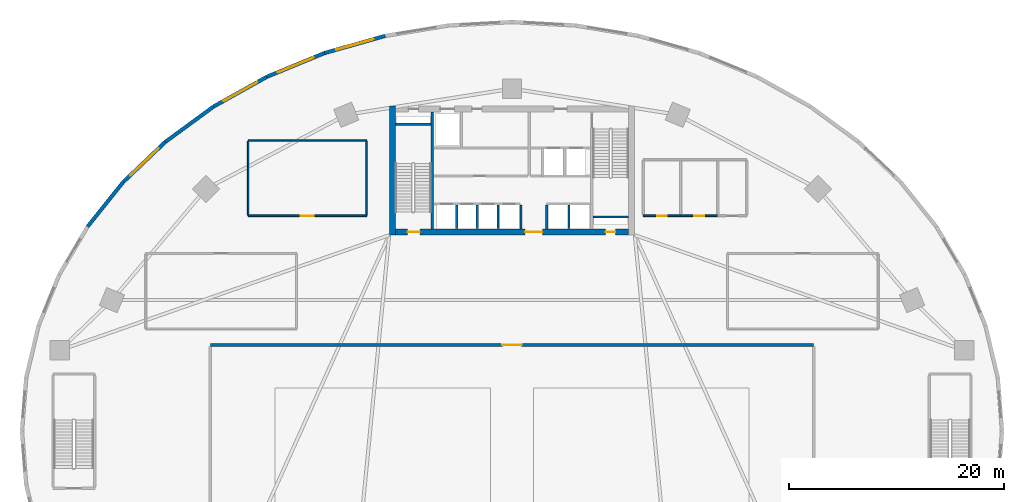
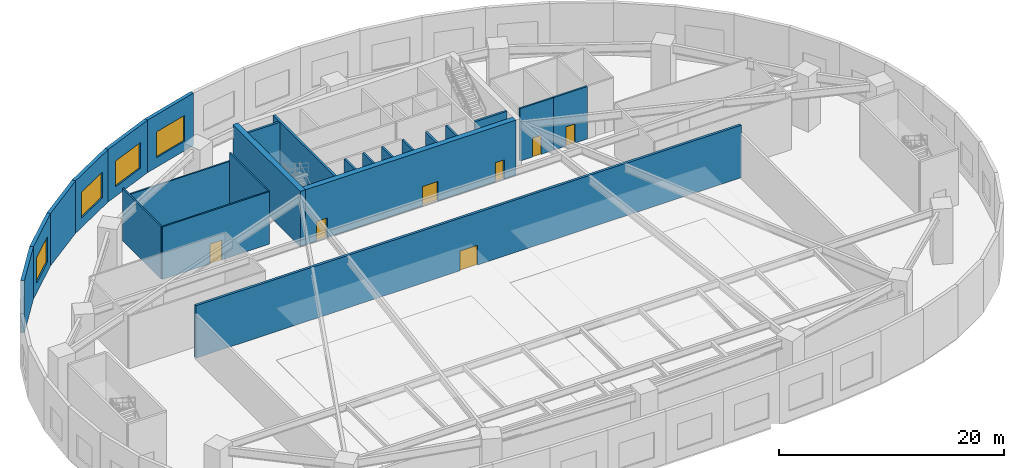
# One storey, part 3 of 10: 24 walls, 7 doors, 4 windows, 11 openings.
"""IFC4 building model written with IfcOpenShell, lengths in metres."""

from ifc_helpers import new_model, si_unit, direction, frame, frame_2d, origin, place, context, subcontext, project, spatial, rectangle, extrude, source, transform, mapped, material, layer, layer_set, type_object, type_shapes, element, fill, save


model = new_model("IFC4")

# Units and contexts
model_context = context("Model", 3, precision=1e-05, world=origin(), true_north=direction((0.0, 1.0)))
body_context = subcontext(model_context, "Body", "Model", "MODEL_VIEW")
ifc_project = project(units=[si_unit("LENGTHUNIT", "METRE"), si_unit("AREAUNIT", "SQUARE_METRE"), si_unit("VOLUMEUNIT", "CUBIC_METRE"), si_unit("PLANEANGLEUNIT", "RADIAN"), si_unit("MASSUNIT", "GRAM", prefix="KILO")], contexts=[model_context])

# Site, building, storey
site_placement = place(None, origin())
site = spatial("IfcSite", under=ifc_project, at=site_placement, CompositionType="ELEMENT")
building_placement = place(site_placement, origin())
building = spatial("IfcBuilding", under=site, at=building_placement, Name="Breltana Convention Tower", CompositionType="ELEMENT")
storey_placement = place(building_placement, frame((0.0, 0.0, 6.0)))
storey = spatial("IfcBuildingStorey", under=building, at=storey_placement, Name="L01", CompositionType="ELEMENT", Elevation=6.0)

# Wall
ifc_material_1 = material(Name="Concrete C60/75", Category="concrete")
ifc_layer_1 = layer(ifc_material_1, 0.550048828125, Name="Concrete C60/75")
ifc_layer_set_1 = layer_set([ifc_layer_1], Name="Concrete C60/75")
wall_type_1 = type_object("IfcWallType", Name="SW-CORE-550", PredefinedType="SHEAR", material=ifc_layer_set_1)
shared_shape_1 = source(origin(), body_context, "Body", "SweptSolid", [
    extrude(rectangle(XDim=12.0, YDim=0.550048828125, at=frame_2d((6.0, 0.0))), origin(), (0.0, 0.0, 1.0), 6.0),
])
wall_1_placement = place(storey_placement, frame((36.925048828125, 60.199951171875, 0.0), z_axis=(0.0, 0.0, 1.0), x_axis=(0.0, 1.0, 0.0)))
element("IfcWall", 1, at=wall_1_placement, inside=storey, type_object=wall_type_1, Name="L01 West Core Shear Wall", PredefinedType="SHEAR", context=body_context, shape_type="MappedRepresentation", body=[
    mapped(shared_shape_1, transform((0.0, 0.0, 0.0), scale=1.0)),
])

# Wall, openings, doors
shared_shape_2 = source(origin(), body_context, "Body", "SweptSolid", [
    extrude(rectangle(XDim=21.60009765625, YDim=0.550048828125, at=frame_2d((10.800048828125, 0.0))), origin(), (0.0, 0.0, 1.0), 6.0),
])
wall_2_placement = place(storey_placement, frame((37.199951171875, 60.47509765625, 0.0), z_axis=(0.0, 0.0, 1.0), x_axis=(1.0, 0.0, 0.0)))
wall_2 = element("IfcWall", 2, at=wall_2_placement, inside=storey, type_object=wall_type_1, Name="L01 South Core Shear Wall", PredefinedType="SHEAR", context=body_context, shape_type="MappedRepresentation", body=[
    mapped(shared_shape_2, transform((0.0, 0.0, 0.0), scale=1.0)),
])
opening_1_placement = place(wall_2_placement, frame((1.10009765625, 0.0, 0.0)))
opening_1 = element("IfcOpeningElement", 3, at=opening_1_placement, cuts=wall_2, Name="Opening D-11", PredefinedType="OPENING", context=body_context, shape_type="SweptSolid", body=[
    extrude(rectangle(XDim=1.14990234375, YDim=2.14990234375, at=frame_2d((0.574951171875, 1.074951171875))), frame((0.0, 0.28515625, 0.0), z_axis=(0.0, -1.0, 0.0), x_axis=(1.0, 0.0, 0.0)), (0.0, 0.0, 1.0), 0.570068359375),
])
opening_2_placement = place(wall_2_placement, frame((19.5, 0.0, 0.0)))
opening_2 = element("IfcOpeningElement", 4, at=opening_2_placement, cuts=wall_2, Name="Opening D-18", PredefinedType="OPENING", context=body_context, shape_type="SweptSolid", body=[
    extrude(rectangle(XDim=0.89990234375, YDim=2.10009765625, at=frame_2d((0.449951171875, 1.050048828125))), frame((0.0, 0.28515625, 0.0), z_axis=(0.0, -1.0, 0.0), x_axis=(1.0, 0.0, 0.0)), (0.0, 0.0, 1.0), 0.570068359375),
])
opening_3_placement = place(wall_2_placement, frame((12.02001953125, 0.0, 0.0)))
opening_3 = element("IfcOpeningElement", 5, at=opening_3_placement, cuts=wall_2, Name="Opening D-02", PredefinedType="OPENING", context=body_context, shape_type="SweptSolid", body=[
    extrude(rectangle(XDim=1.60009765625, YDim=2.14990234375, at=frame_2d((0.800048828125, 1.074951171875))), frame((0.0, 0.28515625, 0.0), z_axis=(0.0, -1.0, 0.0), x_axis=(1.0, 0.0, 0.0)), (0.0, 0.0, 1.0), 0.570068359375),
])
ifc_material_2 = material(Name="Steel Stair Exit Door", Category="steel")
door_type_1 = type_object("IfcDoorType", Name="DR-FD120-1150", OperationType="NOTDEFINED", PredefinedType="DOOR", material=ifc_material_2)
shared_shape_3 = source(origin(), body_context, "Body", "SweptSolid", [
    extrude(rectangle(XDim=1.14990234375, YDim=2.14990234375, at=frame_2d((0.574951171875, 1.074951171875))), frame((0.0, 0.02490234375, 0.0), z_axis=(0.0, -1.0, 0.0), x_axis=(1.0, 0.0, 0.0)), (0.0, 0.0, 1.0), 0.050048828125),
])
type_shapes(door_type_1, [shared_shape_3])
door_1_placement = place(opening_1_placement, origin())
door_1 = element("IfcDoor", 6, at=door_1_placement, inside=storey, type_object=door_type_1, Name="L01 interior door D-L01-ST1", OperationType="SINGLE_SWING_LEFT", OverallHeight=2.14990234375, OverallWidth=1.14990234375, PredefinedType="DOOR", context=body_context, shape_type="MappedRepresentation", body=[
    mapped(shared_shape_3, transform((0.0, 0.0, 0.0), scale=1.0)),
])
fill(opening_1, door_1)
ifc_material_3 = material(Name="Steel Riser Fire Door", Category="steel")
door_type_2 = type_object("IfcDoorType", Name="DR-FD60-900", OperationType="NOTDEFINED", PredefinedType="DOOR", material=ifc_material_3)
shared_shape_4 = source(origin(), body_context, "Body", "SweptSolid", [
    extrude(rectangle(XDim=0.89990234375, YDim=2.10009765625, at=frame_2d((0.449951171875, 1.050048828125))), frame((0.0, 0.02490234375, 0.0), z_axis=(0.0, -1.0, 0.0), x_axis=(1.0, 0.0, 0.0)), (0.0, 0.0, 1.0), 0.050048828125),
])
type_shapes(door_type_2, [shared_shape_4])
door_2_placement = place(opening_2_placement, origin())
door_2 = element("IfcDoor", 7, at=door_2_placement, inside=storey, type_object=door_type_2, Name="L01 Core Riser Access Door D-L01-RS2", OperationType="SINGLE_SWING_RIGHT", OverallHeight=2.10009765625, OverallWidth=0.89990234375, PredefinedType="DOOR", context=body_context, shape_type="MappedRepresentation", body=[
    mapped(shared_shape_4, transform((0.0, 0.0, 0.0), scale=1.0)),
])
fill(opening_2, door_2)
ifc_material_4 = material(Name="Steel Glazed Smoke-Control Door", Category="steel")
door_type_3 = type_object("IfcDoorType", Name="DR-DBL-FD90-1600", OperationType="DOUBLE_DOOR_SINGLE_SWING", PredefinedType="DOOR", material=ifc_material_4)
shared_shape_5 = source(origin(), body_context, "Body", "SweptSolid", [
    extrude(rectangle(XDim=1.60009765625, YDim=2.14990234375, at=frame_2d((0.800048828125, 1.074951171875))), frame((0.0, 0.02490234375, 0.0), z_axis=(0.0, -1.0, 0.0), x_axis=(1.0, 0.0, 0.0)), (0.0, 0.0, 1.0), 0.050048828125),
])
type_shapes(door_type_3, [shared_shape_5])
door_3_placement = place(opening_3_placement, origin())
door_3 = element("IfcDoor", 8, at=door_3_placement, inside=storey, type_object=door_type_3, Name="L01 interior door D-L01-LLB-S", OperationType="DOUBLE_DOOR_SINGLE_SWING", OverallHeight=2.14990234375, OverallWidth=1.60009765625, PredefinedType="DOOR", context=body_context, shape_type="MappedRepresentation", body=[
    mapped(shared_shape_5, transform((0.0, 0.0, 0.0), scale=1.0)),
])
fill(opening_3, door_3)

# Walls
ifc_material_5 = material(Name="Concrete C50/60", Category="concrete")
ifc_layer_2 = layer(ifc_material_5, 0.39990234375, Name="Concrete C50/60")
ifc_layer_set_2 = layer_set([ifc_layer_2], Name="Concrete C50/60")
wall_type_2 = type_object("IfcWallType", Name="SW-CORE-400", PredefinedType="SHEAR", material=ifc_layer_set_2)
shared_shape_6 = source(origin(), body_context, "Body", "SweptSolid", [
    extrude(rectangle(XDim=3.27001953125, YDim=0.219970703125, at=frame_2d((1.635009765625, 0.0))), origin(), (0.0, 0.0, 1.0), 6.0),
])
for number, where, z_axis, x_axis, name in (
    (9, (37.199951171875, 70.510009765625, 0.0), (0.0, 0.0, 1.0), (1.0, 0.0, 0.0), "L01 ST-1 Stairwell North Bearing Wall"),
    (10, (55.530029296875, 61.889892578125, 0.0), (0.0, 0.0, 1.0), (1.0, 0.0, 0.0), "L01 ST-2 Stairwell South Bearing Wall"),
):
    element("IfcWall", number, at=place(storey_placement, frame(where, z_axis=z_axis, x_axis=x_axis)), inside=storey, type_object=wall_type_2, Name=name, PredefinedType="SHEAR", context=body_context, shape_type="MappedRepresentation", body=[
        mapped(shared_shape_6, transform((0.0, 0.0, 0.0), scale=1.0)),
    ])
shared_shape_7 = source(origin(), body_context, "Body", "SweptSolid", [
    extrude(rectangle(XDim=10.89990234375, YDim=0.219970703125, at=frame_2d((5.449951171875, 0.0))), origin(), (0.0, 0.0, 1.0), 6.0),
])
wall_3_placement = place(storey_placement, frame((40.580078125, 60.75, 0.0), z_axis=(0.0, 0.0, 1.0), x_axis=(0.0, 1.0, 0.0)))
element("IfcWall", 11, at=wall_3_placement, inside=storey, type_object=wall_type_2, Name="L01 Core West Stair Spine Wall", PredefinedType="SHEAR", context=body_context, shape_type="MappedRepresentation", body=[
    mapped(shared_shape_7, transform((0.0, 0.0, 0.0), scale=1.0)),
])
ifc_material_6 = material(Name="Limestone Buff Insulated Wall", Category="masonry")
ifc_layer_3 = layer(ifc_material_6, 0.35009765625, Name="Limestone Buff Insulated Wall")
ifc_layer_set_3 = layer_set([ifc_layer_3], Name="Limestone Buff Insulated Wall")
wall_type_3 = type_object("IfcWallType", Name="WL-EXT-POD-350", PredefinedType="SOLIDWALL", material=ifc_layer_set_3)
shared_shape_8 = source(origin(), body_context, "Body", "SweptSolid", [
    extrude(rectangle(XDim=5.292724609375, YDim=0.35009765625, at=frame_2d((2.646484375, 0.0))), origin(), (0.0, 0.0, 1.0), 5.699951171875),
])
wall_4_placement = place(storey_placement, frame((11.90234375, 65.1328125, 0.0), z_axis=(0.0, 0.0, 1.0), x_axis=(-0.624740048177, -0.780832806818, 0.0)))
element("IfcWall", 12, at=wall_4_placement, inside=storey, type_object=wall_type_3, Name="L01 limestone facade wall 20", PredefinedType="SOLIDWALL", context=body_context, shape_type="MappedRepresentation", body=[
    mapped(shared_shape_8, transform((0.0, 0.0, 0.0), scale=1.0)),
])

# Wall, opening, window
shared_shape_9 = source(origin(), body_context, "Body", "SweptSolid", [
    extrude(rectangle(XDim=5.419189453125, YDim=0.35009765625, at=frame_2d((2.70947265625, 0.0))), origin(), (0.0, 0.0, 1.0), 5.699951171875),
])
wall_5_placement = place(storey_placement, frame((15.82666015625, 68.8701171875, 0.0), z_axis=(0.0, 0.0, 1.0), x_axis=(-0.724150787336, -0.689641673046, 0.0)))
wall_5 = element("IfcWall", 13, at=wall_5_placement, inside=storey, type_object=wall_type_3, Name="L01 limestone facade wall 19", PredefinedType="SOLIDWALL", context=body_context, shape_type="MappedRepresentation", body=[
    mapped(shared_shape_9, transform((0.0, 0.0, 0.0), scale=1.0)),
])
opening_4_placement = place(wall_5_placement, frame((0.909423828125, 0.0, 1.050048828125)))
opening_4 = element("IfcOpeningElement", 14, at=opening_4_placement, cuts=wall_5, Name="Opening W-01", PredefinedType="OPENING", context=body_context, shape_type="SweptSolid", body=[
    extrude(rectangle(XDim=3.60009765625, YDim=2.800048828125, at=frame_2d((1.800048828125, 1.39990234375))), frame((0.0, 0.18505859375, 0.0), z_axis=(0.0, -1.0, 0.0), x_axis=(1.0, 0.0, 0.0)), (0.0, 0.0, 1.0), 0.3701171875),
])
ifc_material_7 = material(Name="Glass Low-E Insulated Window", Category="glass")
window_type = type_object("IfcWindowType", Name="WN-POD-3600X2800", PartitioningType="TRIPLE_PANEL_VERTICAL", PredefinedType="WINDOW", material=ifc_material_7)
shared_shape_10 = source(origin(), body_context, "Body", "SweptSolid", [
    extrude(rectangle(XDim=3.60009765625, YDim=2.800048828125, at=frame_2d((1.800048828125, 1.39990234375))), frame((0.0, 0.030029296875, 0.0), z_axis=(0.0, -1.0, 0.0), x_axis=(1.0, 0.0, 0.0)), (0.0, 0.0, 1.0), 0.06005859375),
])
type_shapes(window_type, [shared_shape_10])
window_1_placement = place(opening_4_placement, origin())
window_1 = element("IfcWindow", 15, at=window_1_placement, inside=storey, type_object=window_type, Name="L01 tripartite window 19.1", OverallHeight=2.800048828125, OverallWidth=3.60009765625, PartitioningType="TRIPLE_PANEL_VERTICAL", PredefinedType="WINDOW", context=body_context, shape_type="MappedRepresentation", body=[
    mapped(shared_shape_10, transform((0.0, 0.0, 0.0), scale=1.0)),
])
fill(opening_4, window_1)

# Wall
shared_shape_11 = source(origin(), body_context, "Body", "SweptSolid", [
    extrude(rectangle(XDim=5.546630859375, YDim=0.35009765625, at=frame_2d((2.7734375, 0.0))), origin(), (0.0, 0.0, 1.0), 5.699951171875),
])
wall_6_placement = place(storey_placement, frame((20.301513671875, 72.1474609375, 0.0), z_axis=(0.0, 0.0, 1.0), x_axis=(-0.806767275837, -0.590869327887, 0.0)))
element("IfcWall", 16, at=wall_6_placement, inside=storey, type_object=wall_type_3, Name="L01 limestone facade wall 18", PredefinedType="SOLIDWALL", context=body_context, shape_type="MappedRepresentation", body=[
    mapped(shared_shape_11, transform((0.0, 0.0, 0.0), scale=1.0)),
])

# Wall, opening, window
shared_shape_12 = source(origin(), body_context, "Body", "SweptSolid", [
    extrude(rectangle(XDim=5.666748046875, YDim=0.35009765625, at=frame_2d((2.83349609375, 0.0))), origin(), (0.0, 0.0, 1.0), 5.699951171875),
])
wall_7_placement = place(storey_placement, frame((25.25, 74.908935546875, 0.0), z_axis=(0.0, 0.0, 1.0), x_axis=(-0.873233089296, -0.487302751642, 0.0)))
wall_7 = element("IfcWall", 17, at=wall_7_placement, inside=storey, type_object=wall_type_3, Name="L01 limestone facade wall 17", PredefinedType="SOLIDWALL", context=body_context, shape_type="MappedRepresentation", body=[
    mapped(shared_shape_12, transform((0.0, 0.0, 0.0), scale=1.0)),
])
opening_5_placement = place(wall_7_placement, frame((1.033447265625, 0.0, 1.050048828125)))
opening_5 = element("IfcOpeningElement", 18, at=opening_5_placement, cuts=wall_7, Name="Opening W-01", PredefinedType="OPENING", context=body_context, shape_type="SweptSolid", body=[
    extrude(rectangle(XDim=3.60009765625, YDim=2.800048828125, at=frame_2d((1.800048828125, 1.39990234375))), frame((0.0, 0.18505859375, 0.0), z_axis=(0.0, -1.0, 0.0), x_axis=(1.0, 0.0, 0.0)), (0.0, 0.0, 1.0), 0.3701171875),
])
window_2_placement = place(opening_5_placement, origin())
window_2 = element("IfcWindow", 19, at=window_2_placement, inside=storey, type_object=window_type, Name="L01 tripartite window 17.1", OverallHeight=2.800048828125, OverallWidth=3.60009765625, PartitioningType="TRIPLE_PANEL_VERTICAL", PredefinedType="WINDOW", context=body_context, shape_type="MappedRepresentation", body=[
    mapped(shared_shape_10, transform((0.0, 0.0, 0.0), scale=1.0)),
])
fill(opening_5, window_2)

shared_shape_13 = source(origin(), body_context, "Body", "SweptSolid", [
    extrude(rectangle(XDim=5.77294921875, YDim=0.35009765625, at=frame_2d((2.886474609375, 0.0))), origin(), (0.0, 0.0, 1.0), 5.699951171875),
])
wall_8_placement = place(storey_placement, frame((30.587890625, 77.107421875, 0.0), z_axis=(0.0, 0.0, 1.0), x_axis=(-0.924645688874, -0.380828504771, 0.0)))
wall_8 = element("IfcWall", 20, at=wall_8_placement, inside=storey, type_object=wall_type_3, Name="L01 limestone facade wall 16", PredefinedType="SOLIDWALL", context=body_context, shape_type="MappedRepresentation", body=[
    mapped(shared_shape_13, transform((0.0, 0.0, 0.0), scale=1.0)),
])
opening_6_placement = place(wall_8_placement, frame((1.08642578125, 0.0, 1.050048828125)))
opening_6 = element("IfcOpeningElement", 21, at=opening_6_placement, cuts=wall_8, Name="Opening W-01", PredefinedType="OPENING", context=body_context, shape_type="SweptSolid", body=[
    extrude(rectangle(XDim=3.60009765625, YDim=2.800048828125, at=frame_2d((1.800048828125, 1.39990234375))), frame((0.0, 0.18505859375, 0.0), z_axis=(0.0, -1.0, 0.0), x_axis=(1.0, 0.0, 0.0)), (0.0, 0.0, 1.0), 0.3701171875),
])
window_3_placement = place(opening_6_placement, origin())
window_3 = element("IfcWindow", 22, at=window_3_placement, inside=storey, type_object=window_type, Name="L01 tripartite window 16.1", OverallHeight=2.800048828125, OverallWidth=3.60009765625, PartitioningType="TRIPLE_PANEL_VERTICAL", PredefinedType="WINDOW", context=body_context, shape_type="MappedRepresentation", body=[
    mapped(shared_shape_10, transform((0.0, 0.0, 0.0), scale=1.0)),
])
fill(opening_6, window_3)

shared_shape_14 = source(origin(), body_context, "Body", "SweptSolid", [
    extrude(rectangle(XDim=5.85791015625, YDim=0.35009765625, at=frame_2d((2.928955078125, 0.0))), origin(), (0.0, 0.0, 1.0), 5.699951171875),
])
wall_9_placement = place(storey_placement, frame((36.2236328125, 78.705078125, 0.0), z_axis=(0.0, 0.0, 1.0), x_axis=(-0.962088093248, -0.272738887637, 0.0)))
wall_9 = element("IfcWall", 23, at=wall_9_placement, inside=storey, type_object=wall_type_3, Name="L01 limestone facade wall 15", PredefinedType="SOLIDWALL", context=body_context, shape_type="MappedRepresentation", body=[
    mapped(shared_shape_14, transform((0.0, 0.0, 0.0), scale=1.0)),
])
opening_7_placement = place(wall_9_placement, frame((1.12890625, 0.0, 1.050048828125)))
opening_7 = element("IfcOpeningElement", 24, at=opening_7_placement, cuts=wall_9, Name="Opening W-01", PredefinedType="OPENING", context=body_context, shape_type="SweptSolid", body=[
    extrude(rectangle(XDim=3.60009765625, YDim=2.800048828125, at=frame_2d((1.800048828125, 1.39990234375))), frame((0.0, 0.18505859375, 0.0), z_axis=(0.0, -1.0, 0.0), x_axis=(1.0, 0.0, 0.0)), (0.0, 0.0, 1.0), 0.3701171875),
])
window_4_placement = place(opening_7_placement, origin())
window_4 = element("IfcWindow", 25, at=window_4_placement, inside=storey, type_object=window_type, Name="L01 tripartite window 15.1", OverallHeight=2.800048828125, OverallWidth=3.60009765625, PartitioningType="TRIPLE_PANEL_VERTICAL", PredefinedType="WINDOW", context=body_context, shape_type="MappedRepresentation", body=[
    mapped(shared_shape_10, transform((0.0, 0.0, 0.0), scale=1.0)),
])
fill(opening_7, window_4)

# Walls
ifc_material_8 = material(Name="Autoclaved Aerated Concrete Block", Category="concrete")
ifc_layer_4 = layer(ifc_material_8, 0.199951171875, Name="Autoclaved Aerated Concrete Block")
ifc_layer_set_4 = layer_set([ifc_layer_4], Name="Autoclaved Aerated Concrete Block")
wall_type_4 = type_object("IfcWallType", Name="WL-SHAFT-200", PredefinedType="SOLIDWALL", material=ifc_layer_set_4)
shared_shape_15 = source(origin(), body_context, "Body", "SweptSolid", [
    extrude(rectangle(XDim=2.239990234375, YDim=0.199951171875, at=frame_2d((1.1201171875, 0.0))), origin(), (0.0, 0.0, 1.0), 5.699951171875),
])
for number, where, z_axis, x_axis, name in (
    (26, (48.820068359375, 60.780029296875, 0.0), (0.0, 0.0, 1.0), (0.0, 1.0, 0.0), "L01 interior partition W-L01-PORT-W"),
    (27, (51.219970703125, 60.780029296875, 0.0), (0.0, 0.0, 1.0), (0.0, 1.0, 0.0), "L01 interior partition W-L01-PORT-E"),
):
    element("IfcWall", number, at=place(storey_placement, frame(where, z_axis=z_axis, x_axis=x_axis)), inside=storey, type_object=wall_type_4, Name=name, PredefinedType="SOLIDWALL", context=body_context, shape_type="MappedRepresentation", body=[
        mapped(shared_shape_15, transform((0.0, 0.0, 0.0), scale=1.0)),
    ])
shared_shape_16 = source(origin(), body_context, "Body", "SweptSolid", [
    extrude(rectangle(XDim=2.199951171875, YDim=0.199951171875, at=frame_2d((1.10009765625, 0.0))), origin(), (0.0, 0.0, 1.0), 5.699951171875),
])
for number, where, z_axis, x_axis, name in (
    (28, (42.8701171875, 60.800048828125, 0.0), (0.0, 0.0, 1.0), (0.0, 1.0, 0.0), "L01 interior partition W-L01-SH-S-DIV1"),
    (29, (44.77001953125, 60.800048828125, 0.0), (0.0, 0.0, 1.0), (0.0, 1.0, 0.0), "L01 interior partition W-L01-SH-S-DIV2"),
    (30, (46.699951171875, 60.800048828125, 0.0), (0.0, 0.0, 1.0), (0.0, 1.0, 0.0), "L01 interior partition W-L01-SH-S-DIV3"),
    (31, (53.280029296875, 60.800048828125, 0.0), (0.0, 0.0, 1.0), (0.0, 1.0, 0.0), "L01 interior partition W-L01-SH-X-DIV"),
):
    element("IfcWall", number, at=place(storey_placement, frame(where, z_axis=z_axis, x_axis=x_axis)), inside=storey, type_object=wall_type_4, Name=name, PredefinedType="SOLIDWALL", context=body_context, shape_type="MappedRepresentation", body=[
        mapped(shared_shape_16, transform((0.0, 0.0, 0.0), scale=1.0)),
    ])

# Wall, opening, door
ifc_material_9 = material(Name="Cement Board Wet-Area Partition")
ifc_layer_5 = layer(ifc_material_9, 0.175048828125, Name="Cement Board Wet-Area Partition")
ifc_layer_set_5 = layer_set([ifc_layer_5], Name="Cement Board Wet-Area Partition")
wall_type_5 = type_object("IfcWallType", Name="WL-WET-175", PredefinedType="PARTITIONING", material=ifc_layer_set_5)
shared_shape_17 = source(origin(), body_context, "Body", "SweptSolid", [
    extrude(rectangle(XDim=3.4560546875, YDim=0.175048828125, at=frame_2d((1.72802734375, 0.0))), origin(), (0.0, 0.0, 1.0), 5.699951171875),
])
wall_10_placement = place(storey_placement, frame((60.199951171875, 62.0, 0.0), z_axis=(0.0, 0.0, 1.0), x_axis=(1.0, 0.0, 0.0)))
wall_10 = element("IfcWall", 32, at=wall_10_placement, inside=storey, type_object=wall_type_5, Name="L01 interior partition W-L01-WCM-S", PredefinedType="PARTITIONING", context=body_context, shape_type="MappedRepresentation", body=[
    mapped(shared_shape_17, transform((0.0, 0.0, 0.0), scale=1.0)),
])
opening_8_placement = place(wall_10_placement, frame((1.278076171875, 0.0, 0.0)))
opening_8 = element("IfcOpeningElement", 33, at=opening_8_placement, cuts=wall_10, Name="Opening D-19", PredefinedType="OPENING", context=body_context, shape_type="SweptSolid", body=[
    extrude(rectangle(XDim=0.89990234375, YDim=2.080078125, at=frame_2d((0.449951171875, 1.0400390625))), frame((0.0, 0.09765625, 0.0), z_axis=(0.0, -1.0, 0.0), x_axis=(1.0, 0.0, 0.0)), (0.0, 0.0, 1.0), 0.195068359375),
])
ifc_material_10 = material(Name="Timber Moisture-Resistant Door", Category="wood")
door_type_4 = type_object("IfcDoorType", Name="DR-WC-900", OperationType="NOTDEFINED", PredefinedType="DOOR", material=ifc_material_10)
shared_shape_18 = source(origin(), body_context, "Body", "SweptSolid", [
    extrude(rectangle(XDim=0.89990234375, YDim=2.080078125, at=frame_2d((0.449951171875, 1.0400390625))), frame((0.0, 0.02490234375, 0.0), z_axis=(0.0, -1.0, 0.0), x_axis=(1.0, 0.0, 0.0)), (0.0, 0.0, 1.0), 0.050048828125),
])
type_shapes(door_type_4, [shared_shape_18])
door_4_placement = place(opening_8_placement, origin())
door_4 = element("IfcDoor", 34, at=door_4_placement, inside=storey, type_object=door_type_4, Name="L01 interior door D-L01-WCM", OperationType="SINGLE_SWING_LEFT", OverallHeight=2.080078125, OverallWidth=0.89990234375, PredefinedType="DOOR", context=body_context, shape_type="MappedRepresentation", body=[
    mapped(shared_shape_18, transform((0.0, 0.0, 0.0), scale=1.0)),
])
fill(opening_8, door_4)

wall_11_placement = place(storey_placement, frame((63.656005859375, 62.0, 0.0), z_axis=(0.0, 0.0, 1.0), x_axis=(1.0, 0.0, 0.0)))
wall_11 = element("IfcWall", 35, at=wall_11_placement, inside=storey, type_object=wall_type_5, Name="L01 interior partition W-L01-WCF-S", PredefinedType="PARTITIONING", context=body_context, shape_type="MappedRepresentation", body=[
    mapped(shared_shape_17, transform((0.0, 0.0, 0.0), scale=1.0)),
])
opening_9_placement = place(wall_11_placement, frame((1.278076171875, 0.0, 0.0)))
opening_9 = element("IfcOpeningElement", 36, at=opening_9_placement, cuts=wall_11, Name="Opening D-19", PredefinedType="OPENING", context=body_context, shape_type="SweptSolid", body=[
    extrude(rectangle(XDim=0.89990234375, YDim=2.080078125, at=frame_2d((0.449951171875, 1.0400390625))), frame((0.0, 0.09765625, 0.0), z_axis=(0.0, -1.0, 0.0), x_axis=(1.0, 0.0, 0.0)), (0.0, 0.0, 1.0), 0.195068359375),
])
door_5_placement = place(opening_9_placement, origin())
door_5 = element("IfcDoor", 37, at=door_5_placement, inside=storey, type_object=door_type_4, Name="L01 interior door D-L01-WCF", OperationType="SINGLE_SWING_RIGHT", OverallHeight=2.080078125, OverallWidth=0.89990234375, PredefinedType="DOOR", context=body_context, shape_type="MappedRepresentation", body=[
    mapped(shared_shape_18, transform((0.0, 0.0, 0.0), scale=1.0)),
])
fill(opening_9, door_5)

ifc_material_11 = material(Name="Gypsum Acoustic Double Stud Wall")
ifc_layer_6 = layer(ifc_material_11, 0.25, Name="Gypsum Acoustic Double Stud Wall")
ifc_layer_set_6 = layer_set([ifc_layer_6], Name="Gypsum Acoustic Double Stud Wall")
wall_type_6 = type_object("IfcWallType", Name="WL-ACOUSTIC-250", PredefinedType="PARTITIONING", material=ifc_layer_set_6)
shared_shape_19 = source(origin(), body_context, "Body", "SweptSolid", [
    extrude(rectangle(XDim=56.0, YDim=0.25, at=frame_2d((28.0, 0.0))), origin(), (0.0, 0.0, 1.0), 5.699951171875),
])
wall_12_placement = place(storey_placement, frame((20.0, 50.0, 0.0), z_axis=(0.0, 0.0, 1.0), x_axis=(1.0, 0.0, 0.0)))
wall_12 = element("IfcWall", 38, at=wall_12_placement, inside=storey, type_object=wall_type_6, Name="L01 interior partition W-L01-CNV-N", PredefinedType="PARTITIONING", context=body_context, shape_type="MappedRepresentation", body=[
    mapped(shared_shape_19, transform((0.0, 0.0, 0.0), scale=1.0)),
])
opening_10_placement = place(wall_12_placement, frame((27.10009765625, 0.0, 0.0)))
opening_10 = element("IfcOpeningElement", 39, at=opening_10_placement, cuts=wall_12, Name="Opening D-01", PredefinedType="OPENING", context=body_context, shape_type="SweptSolid", body=[
    extrude(rectangle(XDim=1.800048828125, YDim=2.14990234375, at=frame_2d((0.89990234375, 1.074951171875))), frame((0.0, 0.135009765625, 0.0), z_axis=(0.0, -1.0, 0.0), x_axis=(1.0, 0.0, 0.0)), (0.0, 0.0, 1.0), 0.27001953125),
])
ifc_material_12 = material(Name="Timber Acoustic Veneer Door", Category="wood")
door_type_5 = type_object("IfcDoorType", Name="DR-ASM-1800", OperationType="DOUBLE_DOOR_SINGLE_SWING", PredefinedType="DOOR", material=ifc_material_12)
shared_shape_20 = source(origin(), body_context, "Body", "SweptSolid", [
    extrude(rectangle(XDim=1.800048828125, YDim=2.14990234375, at=frame_2d((0.89990234375, 1.074951171875))), frame((0.0, 0.02490234375, 0.0), z_axis=(0.0, -1.0, 0.0), x_axis=(1.0, 0.0, 0.0)), (0.0, 0.0, 1.0), 0.050048828125),
])
type_shapes(door_type_5, [shared_shape_20])
door_6_placement = place(opening_10_placement, origin())
door_6 = element("IfcDoor", 40, at=door_6_placement, inside=storey, type_object=door_type_5, Name="L01 interior door D-L01-CNV", OperationType="SINGLE_SWING_RIGHT", OverallHeight=2.14990234375, OverallWidth=1.800048828125, PredefinedType="DOOR", context=body_context, shape_type="MappedRepresentation", body=[
    mapped(shared_shape_20, transform((0.0, 0.0, 0.0), scale=1.0)),
])
fill(opening_10, door_6)

ifc_material_13 = material(Name="Gypsum Acoustic Drywall Partition")
ifc_layer_7 = layer(ifc_material_13, 0.14990234375, Name="Gypsum Acoustic Drywall Partition")
ifc_layer_set_7 = layer_set([ifc_layer_7], Name="Gypsum Acoustic Drywall Partition")
wall_type_7 = type_object("IfcWallType", Name="WL-PART-150", PredefinedType="PARTITIONING", material=ifc_layer_set_7)
shared_shape_21 = source(origin(), body_context, "Body", "SweptSolid", [
    extrude(rectangle(XDim=11.0, YDim=0.14990234375, at=frame_2d((5.5, 0.0))), origin(), (0.0, 0.0, 1.0), 5.699951171875),
])
wall_13_placement = place(storey_placement, frame((23.5, 62.0, 0.0), z_axis=(0.0, 0.0, 1.0), x_axis=(1.0, 0.0, 0.0)))
wall_13 = element("IfcWall", 41, at=wall_13_placement, inside=storey, type_object=wall_type_7, Name="L01 interior partition W-L01-PNT-S", PredefinedType="PARTITIONING", context=body_context, shape_type="MappedRepresentation", body=[
    mapped(shared_shape_21, transform((0.0, 0.0, 0.0), scale=1.0)),
])
opening_11_placement = place(wall_13_placement, frame((4.89990234375, 0.0, 0.0)))
opening_11 = element("IfcOpeningElement", 42, at=opening_11_placement, cuts=wall_13, Name="Opening D-10", PredefinedType="OPENING", context=body_context, shape_type="SweptSolid", body=[
    extrude(rectangle(XDim=1.199951171875, YDim=2.14990234375, at=frame_2d((0.60009765625, 1.074951171875))), frame((0.0, 0.0849609375, 0.0), z_axis=(0.0, -1.0, 0.0), x_axis=(1.0, 0.0, 0.0)), (0.0, 0.0, 1.0), 0.169921875),
])
ifc_material_14 = material(Name="Timber Oak Veneer Fire Door", Category="wood")
door_type_6 = type_object("IfcDoorType", Name="DR-INT-1200", OperationType="NOTDEFINED", PredefinedType="DOOR", material=ifc_material_14)
shared_shape_22 = source(origin(), body_context, "Body", "SweptSolid", [
    extrude(rectangle(XDim=1.199951171875, YDim=2.14990234375, at=frame_2d((0.60009765625, 1.074951171875))), frame((0.0, 0.02490234375, 0.0), z_axis=(0.0, -1.0, 0.0), x_axis=(1.0, 0.0, 0.0)), (0.0, 0.0, 1.0), 0.050048828125),
])
type_shapes(door_type_6, [shared_shape_22])
door_7_placement = place(opening_11_placement, origin())
door_7 = element("IfcDoor", 43, at=door_7_placement, inside=storey, type_object=door_type_6, Name="L01 interior door D-L01-PNT", OperationType="SINGLE_SWING_LEFT", OverallHeight=2.14990234375, OverallWidth=1.199951171875, PredefinedType="DOOR", context=body_context, shape_type="MappedRepresentation", body=[
    mapped(shared_shape_22, transform((0.0, 0.0, 0.0), scale=1.0)),
])
fill(opening_11, door_7)

# Walls
shared_shape_23 = source(origin(), body_context, "Body", "SweptSolid", [
    extrude(rectangle(XDim=11.0, YDim=0.14990234375, at=frame_2d((5.5, 0.0))), origin(), (0.0, 0.0, 1.0), 4.760986328125),
])
wall_14_placement = place(storey_placement, frame((23.5, 69.0, 0.0), z_axis=(0.0, 0.0, 1.0), x_axis=(1.0, 0.0, 0.0)))
element("IfcWall", 44, at=wall_14_placement, inside=storey, type_object=wall_type_7, Name="L01 interior partition W-L01-PNT-N", PredefinedType="PARTITIONING", context=body_context, shape_type="MappedRepresentation", body=[
    mapped(shared_shape_23, transform((0.0, 0.0, 0.0), scale=1.0)),
])
shared_shape_24 = source(origin(), body_context, "Body", "SweptSolid", [
    extrude(rectangle(XDim=6.865234375, YDim=0.14990234375, at=frame_2d((3.4326171875, 0.0))), origin(), (0.0, 0.0, 1.0), 5.699951171875),
])
for number, where, z_axis, x_axis, name in (
    (45, (23.5, 62.0673828125, 0.0), (0.0, 0.0, 1.0), (0.0, 1.0, 0.0), "L01 interior partition W-L01-PNT-W"),
    (46, (34.5, 62.0673828125, 0.0), (0.0, 0.0, 1.0), (0.0, 1.0, 0.0), "L01 interior partition W-L01-PNT-E"),
):
    element("IfcWall", number, at=place(storey_placement, frame(where, z_axis=z_axis, x_axis=x_axis)), inside=storey, type_object=wall_type_7, Name=name, PredefinedType="PARTITIONING", context=body_context, shape_type="MappedRepresentation", body=[
        mapped(shared_shape_24, transform((0.0, 0.0, 0.0), scale=1.0)),
    ])

save(model, "model.ifc")
